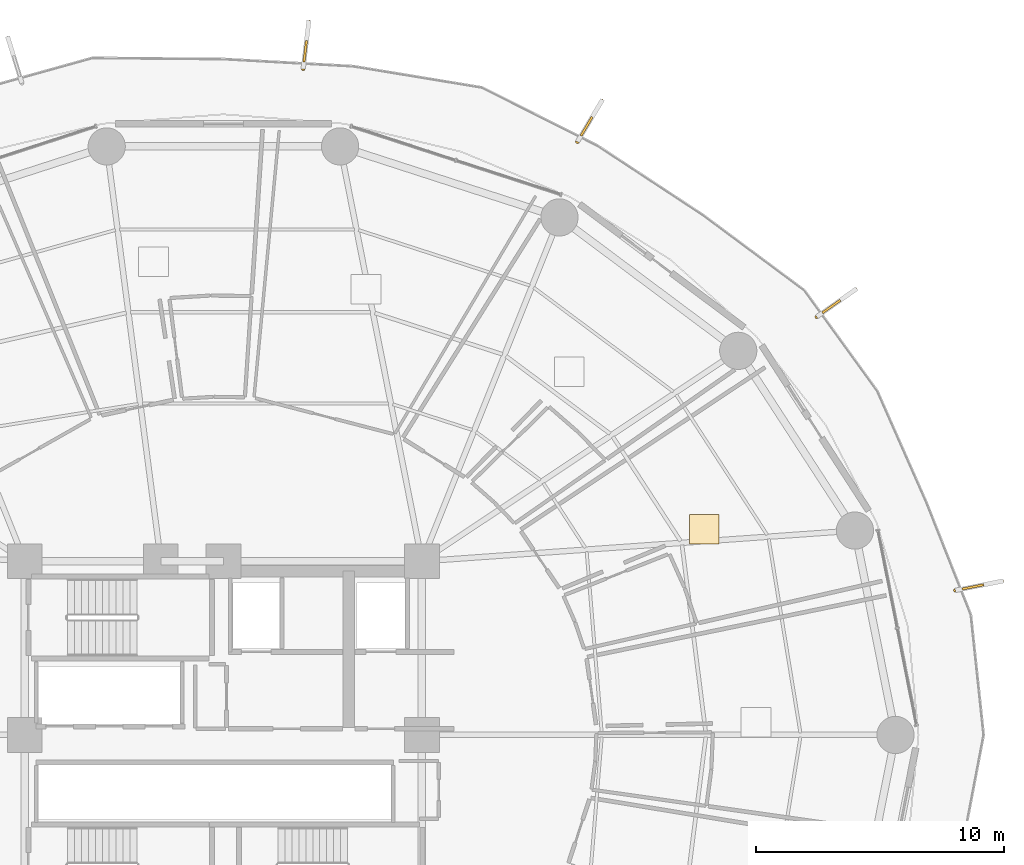
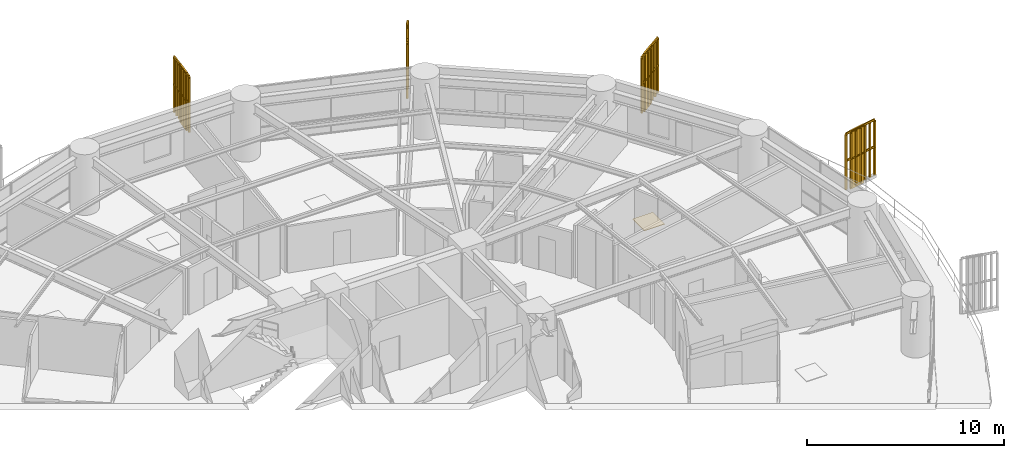
# One storey, part 34 of 34: 4 railings, 4 shading devices, 1 covering.
"""IFC4 building model written with IfcOpenShell, lengths in metres."""

from ifc_helpers import new_model, si_unit, direction, frame, origin, origin_2d, place, context, subcontext, project, spatial, polyline, rectangle, outline, extrude, source, transform, mapped, material, layer, layer_set, type_object, element, save


model = new_model("IFC4")

# Units and contexts
model_context = context("Model", 3, precision=1e-05, world=origin(), true_north=direction((0.0, 1.0)))
body_context = subcontext(model_context, "Body", "Model", "MODEL_VIEW")
ifc_project = project(units=[si_unit("LENGTHUNIT", "METRE"), si_unit("AREAUNIT", "SQUARE_METRE"), si_unit("VOLUMEUNIT", "CUBIC_METRE"), si_unit("PLANEANGLEUNIT", "RADIAN"), si_unit("MASSUNIT", "GRAM", prefix="KILO")], contexts=[model_context])

# Site, building, storey
site_placement = place(None, origin())
site = spatial("IfcSite", under=ifc_project, at=site_placement, CompositionType="ELEMENT")
building_placement = place(site_placement, origin())
building = spatial("IfcBuilding", under=site, at=building_placement, Name="Kelanora Arch Commons", CompositionType="ELEMENT")
storey_placement = place(building_placement, frame((0.0, 0.0, 33.75)))
storey = spatial("IfcBuildingStorey", under=building, at=storey_placement, Name="L08", CompositionType="ELEMENT", Elevation=33.75)

# Railings
ifc_material_1 = material(Name="Anodised bronze vertical shading fin rib assembly")
railing_type = type_object("IfcRailingType", Name="RAIL-FIN-BRZ", PredefinedType="BALUSTRADE", material=ifc_material_1)
railing_1_placement = place(storey_placement, frame((103.491943359375, 63.82568359375, -0.02001953125)))
element("IfcRailing", 1, at=railing_1_placement, inside=storey, type_object=railing_type, Name="Sweeping Bronze Vertical Fin Blade L08-00", PredefinedType="BALUSTRADE", context=body_context, shape_type="SweptSolid", body=[
    extrude(outline(polyline([(0.06982421875, 0.0), (0.034912109375, 0.060546875), (-0.034912109375, 0.060546875), (-0.06982421875, 0.0), (-0.034912109375, -0.060546875), (0.034912109375, -0.060546875), (0.06982421875, 0.0)])), frame((0.0, 0.0, 3.419921875), z_axis=(0.981043144514, 0.193789443991, 0.0), x_axis=(-0.193789443991, 0.981043144514, 0.0)), (0.0, 0.0, 1.0), 1.91748046875),
    extrude(outline(polyline([(0.06982421875, 0.0), (0.034912109375, 0.060546875), (-0.034912109375, 0.060546875), (-0.06982421875, 0.0), (-0.034912109375, -0.060546875), (0.034912109375, -0.060546875), (0.06982421875, 0.0)])), frame((0.0, 0.0, 1.7451171875), z_axis=(0.981043144514, 0.193789443991, 0.0), x_axis=(-0.193789443991, 0.981043144514, 0.0)), (0.0, 0.0, 1.0), 1.91748046875),
    extrude(outline(polyline([(0.080078125, 0.0), (0.0400390625, 0.0693359375), (-0.0400390625, 0.0693359375), (-0.080078125, 0.0), (-0.0400390625, -0.0693359375), (0.0400390625, -0.0693359375), (0.080078125, 0.0)])), origin(), (0.0, 0.0, 1.0), 3.35009765625),
    extrude(outline(polyline([(0.080078125, 0.0), (0.0400390625, 0.0693359375), (-0.0400390625, 0.0693359375), (-0.080078125, 0.0), (-0.0400390625, -0.0693359375), (0.0400390625, -0.0693359375), (0.080078125, 0.0)])), frame((0.3134765625, 0.06201171875, 0.0)), (0.0, 0.0, 1.0), 3.35009765625),
    extrude(outline(polyline([(0.080078125, 0.0), (0.0400390625, 0.0693359375), (-0.0400390625, 0.0693359375), (-0.080078125, 0.0), (-0.0400390625, -0.0693359375), (0.0400390625, -0.0693359375), (0.080078125, 0.0)])), frame((0.626953125, 0.123779296875, 0.0)), (0.0, 0.0, 1.0), 3.35009765625),
    extrude(outline(polyline([(0.080078125, 0.0), (0.0400390625, 0.0693359375), (-0.0400390625, 0.0693359375), (-0.080078125, 0.0), (-0.0400390625, -0.0693359375), (0.0400390625, -0.0693359375), (0.080078125, 0.0)])), frame((0.9404296875, 0.185791015625, 0.0)), (0.0, 0.0, 1.0), 3.35009765625),
    extrude(outline(polyline([(0.080078125, 0.0), (0.0400390625, 0.0693359375), (-0.0400390625, 0.0693359375), (-0.080078125, 0.0), (-0.0400390625, -0.0693359375), (0.0400390625, -0.0693359375), (0.080078125, 0.0)])), frame((1.254150390625, 0.247802734375, 0.0)), (0.0, 0.0, 1.0), 3.35009765625),
    extrude(outline(polyline([(0.080078125, 0.0), (0.0400390625, 0.0693359375), (-0.0400390625, 0.0693359375), (-0.080078125, 0.0), (-0.0400390625, -0.0693359375), (0.0400390625, -0.0693359375), (0.080078125, 0.0)])), frame((1.567626953125, 0.3095703125, 0.0)), (0.0, 0.0, 1.0), 3.35009765625),
    extrude(outline(polyline([(0.080078125, 0.0), (0.0400390625, 0.0693359375), (-0.0400390625, 0.0693359375), (-0.080078125, 0.0), (-0.0400390625, -0.0693359375), (0.0400390625, -0.0693359375), (0.080078125, 0.0)])), frame((1.881103515625, 0.37158203125, 0.0)), (0.0, 0.0, 1.0), 3.35009765625),
])
railing_2_placement = place(storey_placement, frame((97.906982421875, 74.848388671875, -0.02001953125)))
element("IfcRailing", 2, at=railing_2_placement, inside=storey, type_object=railing_type, Name="Sweeping Bronze Vertical Fin Blade L08-01", PredefinedType="BALUSTRADE", context=body_context, shape_type="SweptSolid", body=[
    extrude(outline(polyline([(0.06982421875, 0.0), (0.034912109375, 0.060546875), (-0.034912109375, 0.060546875), (-0.06982421875, 0.0), (-0.034912109375, -0.060546875), (0.034912109375, -0.060546875), (0.06982421875, 0.0)])), frame((0.0, 0.0, 3.419921875), z_axis=(0.817433380841, 0.576023148742, 0.0), x_axis=(-0.576023148742, 0.817433380841, 0.0)), (0.0, 0.0, 1.0), 1.91748046875),
    extrude(outline(polyline([(0.06982421875, 0.0), (0.034912109375, 0.060546875), (-0.034912109375, 0.060546875), (-0.06982421875, 0.0), (-0.034912109375, -0.060546875), (0.034912109375, -0.060546875), (0.06982421875, 0.0)])), frame((0.0, 0.0, 1.7451171875), z_axis=(0.817433380841, 0.576023148742, 0.0), x_axis=(-0.576023148742, 0.817433380841, 0.0)), (0.0, 0.0, 1.0), 1.91748046875),
    extrude(outline(polyline([(0.080078125, 0.0), (0.0400390625, 0.0693359375), (-0.0400390625, 0.0693359375), (-0.080078125, 0.0), (-0.0400390625, -0.0693359375), (0.0400390625, -0.0693359375), (0.080078125, 0.0)])), origin(), (0.0, 0.0, 1.0), 3.35009765625),
    extrude(outline(polyline([(0.080078125, 0.0), (0.0400390625, 0.0693359375), (-0.0400390625, 0.0693359375), (-0.080078125, 0.0), (-0.0400390625, -0.0693359375), (0.0400390625, -0.0693359375), (0.080078125, 0.0)])), frame((0.26123046875, 0.18408203125, 0.0)), (0.0, 0.0, 1.0), 3.35009765625),
    extrude(outline(polyline([(0.080078125, 0.0), (0.0400390625, 0.0693359375), (-0.0400390625, 0.0693359375), (-0.080078125, 0.0), (-0.0400390625, -0.0693359375), (0.0400390625, -0.0693359375), (0.080078125, 0.0)])), frame((0.5224609375, 0.3681640625, 0.0)), (0.0, 0.0, 1.0), 3.35009765625),
    extrude(outline(polyline([(0.080078125, 0.0), (0.0400390625, 0.0693359375), (-0.0400390625, 0.0693359375), (-0.080078125, 0.0), (-0.0400390625, -0.0693359375), (0.0400390625, -0.0693359375), (0.080078125, 0.0)])), frame((0.78369140625, 0.55224609375, 0.0)), (0.0, 0.0, 1.0), 3.35009765625),
    extrude(outline(polyline([(0.080078125, 0.0), (0.0400390625, 0.0693359375), (-0.0400390625, 0.0693359375), (-0.080078125, 0.0), (-0.0400390625, -0.0693359375), (0.0400390625, -0.0693359375), (0.080078125, 0.0)])), frame((1.044921875, 0.736328125, 0.0)), (0.0, 0.0, 1.0), 3.35009765625),
    extrude(outline(polyline([(0.080078125, 0.0), (0.0400390625, 0.0693359375), (-0.0400390625, 0.0693359375), (-0.080078125, 0.0), (-0.0400390625, -0.0693359375), (0.0400390625, -0.0693359375), (0.080078125, 0.0)])), frame((1.30615234375, 0.92041015625, 0.0)), (0.0, 0.0, 1.0), 3.35009765625),
    extrude(outline(polyline([(0.080078125, 0.0), (0.0400390625, 0.0693359375), (-0.0400390625, 0.0693359375), (-0.080078125, 0.0), (-0.0400390625, -0.0693359375), (0.0400390625, -0.0693359375), (0.080078125, 0.0)])), frame((1.5673828125, 1.1044921875, 0.0)), (0.0, 0.0, 1.0), 3.35009765625),
])
railing_3_placement = place(storey_placement, frame((88.2646484375, 81.904541015625, -0.02001953125)))
element("IfcRailing", 3, at=railing_3_placement, inside=storey, type_object=railing_type, Name="Sweeping Bronze Vertical Fin Blade L08-02", PredefinedType="BALUSTRADE", context=body_context, shape_type="SweptSolid", body=[
    extrude(outline(polyline([(0.06982421875, 0.0), (0.034912109375, 0.060546875), (-0.034912109375, 0.060546875), (-0.06982421875, 0.0), (-0.034912109375, -0.060546875), (0.034912109375, -0.060546875), (0.06982421875, 0.0)])), frame((0.0, 0.0, 3.419921875), z_axis=(0.512434796643, 0.858726137479, 0.0), x_axis=(-0.858726137479, 0.512434796643, 0.0)), (0.0, 0.0, 1.0), 1.917724609375),
    extrude(outline(polyline([(0.06982421875, 0.0), (0.034912109375, 0.060546875), (-0.034912109375, 0.060546875), (-0.06982421875, 0.0), (-0.034912109375, -0.060546875), (0.034912109375, -0.060546875), (0.06982421875, 0.0)])), frame((0.0, 0.0, 1.7451171875), z_axis=(0.512434796643, 0.858726137479, 0.0), x_axis=(-0.858726137479, 0.512434796643, 0.0)), (0.0, 0.0, 1.0), 1.917724609375),
    extrude(outline(polyline([(0.080078125, 0.0), (0.0400390625, 0.0693359375), (-0.0400390625, 0.0693359375), (-0.080078125, 0.0), (-0.0400390625, -0.0693359375), (0.0400390625, -0.0693359375), (0.080078125, 0.0)])), origin(), (0.0, 0.0, 1.0), 3.35009765625),
    extrude(outline(polyline([(0.080078125, 0.0), (0.0400390625, 0.0693359375), (-0.0400390625, 0.0693359375), (-0.080078125, 0.0), (-0.0400390625, -0.0693359375), (0.0400390625, -0.0693359375), (0.080078125, 0.0)])), frame((0.163818359375, 0.2744140625, 0.0)), (0.0, 0.0, 1.0), 3.35009765625),
    extrude(outline(polyline([(0.080078125, 0.0), (0.0400390625, 0.0693359375), (-0.0400390625, 0.0693359375), (-0.080078125, 0.0), (-0.0400390625, -0.0693359375), (0.0400390625, -0.0693359375), (0.080078125, 0.0)])), frame((0.32763671875, 0.548828125, 0.0)), (0.0, 0.0, 1.0), 3.35009765625),
    extrude(outline(polyline([(0.080078125, 0.0), (0.0400390625, 0.0693359375), (-0.0400390625, 0.0693359375), (-0.080078125, 0.0), (-0.0400390625, -0.0693359375), (0.0400390625, -0.0693359375), (0.080078125, 0.0)])), frame((0.4912109375, 0.8232421875, 0.0)), (0.0, 0.0, 1.0), 3.35009765625),
    extrude(outline(polyline([(0.080078125, 0.0), (0.0400390625, 0.0693359375), (-0.0400390625, 0.0693359375), (-0.080078125, 0.0), (-0.0400390625, -0.0693359375), (0.0400390625, -0.0693359375), (0.080078125, 0.0)])), frame((0.655029296875, 1.097900390625, 0.0)), (0.0, 0.0, 1.0), 3.35009765625),
    extrude(outline(polyline([(0.080078125, 0.0), (0.0400390625, 0.0693359375), (-0.0400390625, 0.0693359375), (-0.080078125, 0.0), (-0.0400390625, -0.0693359375), (0.0400390625, -0.0693359375), (0.080078125, 0.0)])), frame((0.81884765625, 1.372314453125, 0.0)), (0.0, 0.0, 1.0), 3.35009765625),
    extrude(outline(polyline([(0.080078125, 0.0), (0.0400390625, 0.0693359375), (-0.0400390625, 0.0693359375), (-0.080078125, 0.0), (-0.0400390625, -0.0693359375), (0.0400390625, -0.0693359375), (0.080078125, 0.0)])), frame((0.982666015625, 1.646728515625, 0.0)), (0.0, 0.0, 1.0), 3.35009765625),
])
railing_4_placement = place(storey_placement, frame((77.212158203125, 84.8349609375, -0.02001953125)))
element("IfcRailing", 4, at=railing_4_placement, inside=storey, type_object=railing_type, Name="Sweeping Bronze Vertical Fin Blade L08-03", PredefinedType="BALUSTRADE", context=body_context, shape_type="SweptSolid", body=[
    extrude(outline(polyline([(0.06982421875, 0.0), (0.034912109375, 0.060546875), (-0.034912109375, 0.060546875), (-0.06982421875, 0.0), (-0.034912109375, -0.060546875), (0.034912109375, -0.060546875), (0.06982421875, 0.0)])), frame((0.0, 0.0, 3.419921875), z_axis=(0.118909268635, 0.992905124286, 0.0), x_axis=(-0.992905124286, 0.118909268635, 0.0)), (0.0, 0.0, 1.0), 1.917724609375),
    extrude(outline(polyline([(0.06982421875, 0.0), (0.034912109375, 0.060546875), (-0.034912109375, 0.060546875), (-0.06982421875, 0.0), (-0.034912109375, -0.060546875), (0.034912109375, -0.060546875), (0.06982421875, 0.0)])), frame((0.0, 0.0, 1.7451171875), z_axis=(0.118909268635, 0.992905124286, 0.0), x_axis=(-0.992905124286, 0.118909268635, 0.0)), (0.0, 0.0, 1.0), 1.917724609375),
    extrude(outline(polyline([(0.080078125, 0.0), (0.0400390625, 0.0693359375), (-0.0400390625, 0.0693359375), (-0.080078125, 0.0), (-0.0400390625, -0.0693359375), (0.0400390625, -0.0693359375), (0.080078125, 0.0)])), origin(), (0.0, 0.0, 1.0), 3.35009765625),
    extrude(outline(polyline([(0.080078125, 0.0), (0.0400390625, 0.0693359375), (-0.0400390625, 0.0693359375), (-0.080078125, 0.0), (-0.0400390625, -0.0693359375), (0.0400390625, -0.0693359375), (0.080078125, 0.0)])), frame((0.0380859375, 0.3173828125, 0.0)), (0.0, 0.0, 1.0), 3.35009765625),
    extrude(outline(polyline([(0.080078125, 0.0), (0.0400390625, 0.0693359375), (-0.0400390625, 0.0693359375), (-0.080078125, 0.0), (-0.0400390625, -0.0693359375), (0.0400390625, -0.0693359375), (0.080078125, 0.0)])), frame((0.075927734375, 0.634765625, 0.0)), (0.0, 0.0, 1.0), 3.35009765625),
    extrude(outline(polyline([(0.080078125, 0.0), (0.0400390625, 0.0693359375), (-0.0400390625, 0.0693359375), (-0.080078125, 0.0), (-0.0400390625, -0.0693359375), (0.0400390625, -0.0693359375), (0.080078125, 0.0)])), frame((0.114013671875, 0.9521484375, 0.0)), (0.0, 0.0, 1.0), 3.35009765625),
    extrude(outline(polyline([(0.080078125, 0.0), (0.0400390625, 0.0693359375), (-0.0400390625, 0.0693359375), (-0.080078125, 0.0), (-0.0400390625, -0.0693359375), (0.0400390625, -0.0693359375), (0.080078125, 0.0)])), frame((0.152099609375, 1.269287109375, 0.0)), (0.0, 0.0, 1.0), 3.35009765625),
    extrude(outline(polyline([(0.080078125, 0.0), (0.0400390625, 0.0693359375), (-0.0400390625, 0.0693359375), (-0.080078125, 0.0), (-0.0400390625, -0.0693359375), (0.0400390625, -0.0693359375), (0.080078125, 0.0)])), frame((0.18994140625, 1.586669921875, 0.0)), (0.0, 0.0, 1.0), 3.35009765625),
    extrude(outline(polyline([(0.080078125, 0.0), (0.0400390625, 0.0693359375), (-0.0400390625, 0.0693359375), (-0.080078125, 0.0), (-0.0400390625, -0.0693359375), (0.0400390625, -0.0693359375), (0.080078125, 0.0)])), frame((0.22802734375, 1.904052734375, 0.0)), (0.0, 0.0, 1.0), 3.35009765625),
])

# Shading devices
ifc_material_2 = material(Name="Terracotta ceramic-clad extruded aluminium fin", Category="masonry")
shading_device_type = type_object("IfcShadingDeviceType", Name="SHD-FIN-FLARE", PredefinedType="USERDEFINED", material=ifc_material_2)
shared_shape_1 = source(origin(), body_context, "Body", "SweptSolid", [
    extrude(rectangle(XDim=0.8798828125, YDim=0.090087890625, at=origin_2d()), origin(), (0.0, 0.0, 1.0), 3.610107421875),
])
for number, where, z_axis, x_axis, name in (
    (5, (104.1982421875, 63.965087890625, -0.14013671875), (0.0, 0.0, 1.0), (0.981056721746, 0.1937206977, 0.0), "Sweeping Terracotta Fin L08-00"),
    (6, (98.49560546875, 75.26318359375, -0.14013671875), (0.0, 0.0, 1.0), (0.817446605564, 0.576004381105, 0.0), "Sweeping Terracotta Fin L08-01"),
    (7, (88.6337890625, 82.52294921875, -0.14013671875), (0.0, 0.0, 1.0), (0.512492545011, 0.858691674181, 0.0), "Sweeping Terracotta Fin L08-02"),
    (8, (77.2978515625, 85.5498046875, -0.14013671875), (0.0, 0.0, 1.0), (0.118923867576, 0.992903375823, 0.0), "Sweeping Terracotta Fin L08-03"),
):
    element("IfcShadingDevice", number, at=place(storey_placement, frame(where, z_axis=z_axis, x_axis=x_axis)), inside=storey, type_object=shading_device_type, Name=name, ObjectType="FIN", PredefinedType="USERDEFINED", context=body_context, shape_type="MappedRepresentation", body=[
        mapped(shared_shape_1, transform((0.0, 0.0, 0.0), scale=1.0)),
    ])

# Covering
ifc_material_3 = material(Name="Polished local granite terrazzo flooring", Category="masonry")
ifc_layer = layer(ifc_material_3, 0.030029296875)
ifc_layer_set = layer_set([ifc_layer], Name="Polished local granite terrazzo flooring")
covering_type = type_object("IfcCoveringType", Name="COV-FLR-TER", PredefinedType="FLOORING", material=ifc_layer_set)
shared_shape_2 = source(origin(), body_context, "Body", "SweptSolid", [
    extrude(rectangle(XDim=1.199951171875, YDim=1.199951171875, at=origin_2d()), origin(), (0.0, 0.0, 1.0), 0.030029296875),
])
covering_placement = place(storey_placement, frame((93.373291015625, 66.29296875, 0.0), z_axis=(0.0, 0.0, 1.0), x_axis=(1.0, 0.0, 0.0)))
element("IfcCovering", 9, at=covering_placement, inside=storey, type_object=covering_type, Name="Co-Living Studio L08-01 Terrazzo Finish", PredefinedType="FLOORING", context=body_context, shape_type="MappedRepresentation", body=[
    mapped(shared_shape_2, transform((0.0, 0.0, 0.0), scale=1.0)),
])

save(model, "model.ifc")
